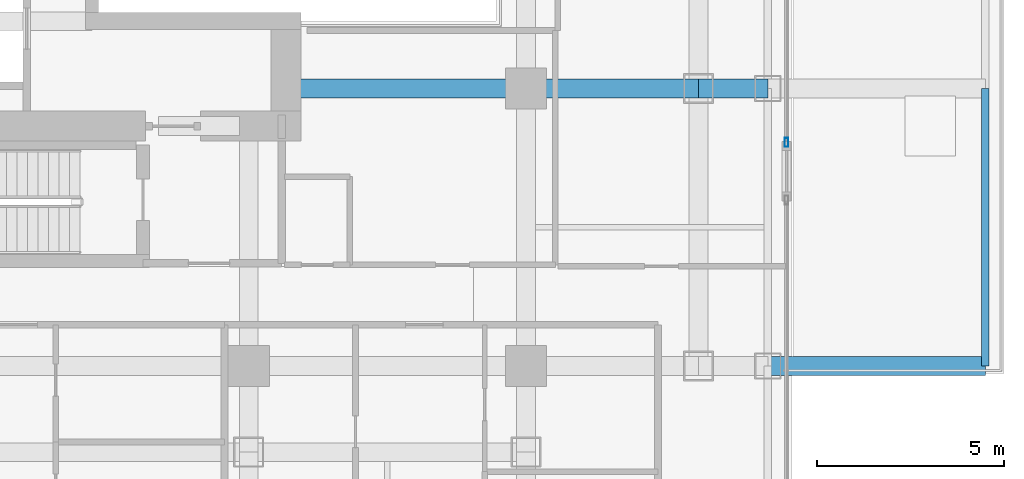
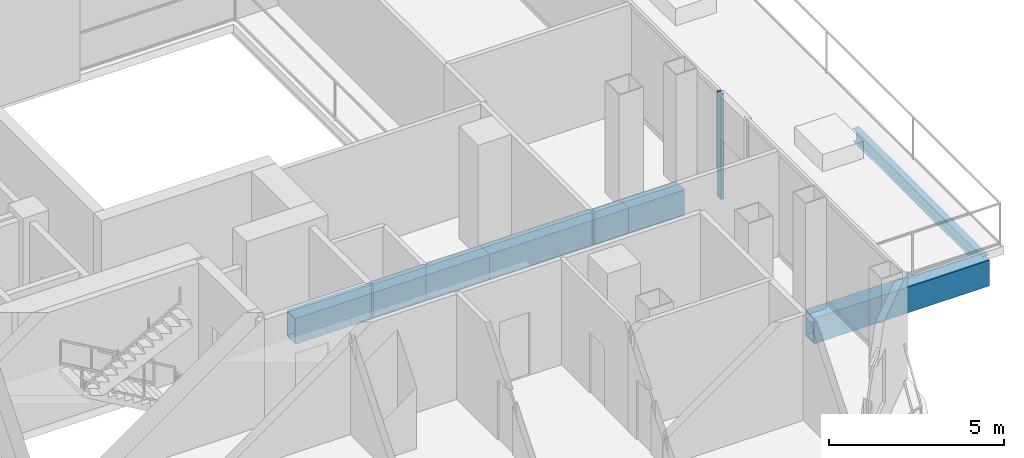
# One storey, part 8 of 27: 5 beams, 1 member, 1 element without a shape of its own.
"""IFC4 building model written with IfcOpenShell, lengths in metres."""

import ifcopenshell
import ifcopenshell.guid

model = None  # the IFC model being written
_history = None  # IfcOwnerHistory: only IFC2X3 demands one
_inside = {}  # id of a spatial element -> (the spatial element, [elements in it])
_under = {}  # id of a project, library or spatial element -> (it, [spatial elements below it])
_declared = {}  # id of a project -> (the project, [libraries it declares])
_typed = {}  # id of a type object -> (the type object, [elements of that type])
_made_of = {}  # id of a material, layer set ... -> (it, [elements and type objects made of it])


def new_model(schema):
    """Start an empty IFC model of exactly this schema.

    Asked for "IFC4X3", IfcOpenShell would pick the latest addendum, in which some entities
    have other attributes; the version numbers below select the first issue.
    IFC2X3 requires an IfcOwnerHistory on every rooted entity: one is made here for all.
    """
    global model, _history
    if schema == "IFC4X3":
        model = ifcopenshell.file(schema_version=(4, 3, 0, 0))
    else:
        model = ifcopenshell.file(schema=schema)
    _inside.clear()
    _under.clear()
    _declared.clear()
    _typed.clear()
    _made_of.clear()
    _history = None
    if model.schema == "IFC2X3":
        org = make("IfcOrganization", Name="unknown")
        user = make(
            "IfcPersonAndOrganization",
            ThePerson=make("IfcPerson", FamilyName="unknown"),
            TheOrganization=org,
        )
        app = make(
            "IfcApplication",
            ApplicationDeveloper=org,
            Version="unknown",
            ApplicationFullName="unknown",
            ApplicationIdentifier="unknown",
        )
        _history = make(
            "IfcOwnerHistory",
            OwningUser=user,
            OwningApplication=app,
            ChangeAction="ADDED",
            CreationDate=0,
        )
    return model


def make(cls, **values):
    """One entity of the class cls with the attributes given. An attribute that is None is left unset."""
    return model.create_entity(
        cls, **{name: value for name, value in values.items() if value is not None}
    )


def rooted(cls, **values):
    """An entity with a GlobalId (a new one), such as an element, a storey or a relation."""
    return make(cls, GlobalId=ifcopenshell.guid.new(), OwnerHistory=_history, **values)


def si_unit(unit_type, name, prefix=None):
    """IfcSIUnit, for example si_unit("LENGTHUNIT", "METRE", prefix="MILLI")."""
    return make("IfcSIUnit", UnitType=unit_type, Prefix=prefix, Name=name)


def assignment(units):
    """IfcUnitAssignment: the units of a project."""
    return None if units is None else make("IfcUnitAssignment", Units=units)


def point(xyz):
    """IfcCartesianPoint."""
    return None if xyz is None else make("IfcCartesianPoint", Coordinates=xyz)


def direction(xyz):
    """IfcDirection."""
    return None if xyz is None else make("IfcDirection", DirectionRatios=xyz)


def frame(location, z_axis=None, x_axis=None):
    """IfcAxis2Placement3D, a coordinate frame: its origin and axes. An axis left out is left unset."""
    return make(
        "IfcAxis2Placement3D",
        Location=point(location),
        Axis=direction(z_axis),
        RefDirection=direction(x_axis),
    )


def frame_2d(location, x_axis=None):
    """IfcAxis2Placement2D, a coordinate frame in the plane: its origin and x axis."""
    return make(
        "IfcAxis2Placement2D", Location=point(location), RefDirection=direction(x_axis)
    )


def origin():
    """The frame at (0, 0, 0) with its axes left unset."""
    return frame((0.0, 0.0, 0.0))


def origin_2d():
    """The frame at (0, 0) in the plane with its x axis left unset."""
    return frame_2d((0.0, 0.0))


def place(relative_to, where):
    """IfcLocalPlacement: puts the frame where relative to a parent placement (None: the world)."""
    return make(
        "IfcLocalPlacement", PlacementRelTo=relative_to, RelativePlacement=where
    )


def context(
    kind, dimensions, precision=None, world=None, true_north=None, identifier=None
):
    """IfcGeometricRepresentationContext, for example the 3D "Model" context."""
    return make(
        "IfcGeometricRepresentationContext",
        ContextIdentifier=identifier,
        ContextType=kind,
        CoordinateSpaceDimension=dimensions,
        Precision=precision,
        WorldCoordinateSystem=world,
        TrueNorth=true_north,
    )


def subcontext(parent, identifier, kind, view, scale=None):
    """IfcGeometricRepresentationSubContext, for example "Body" below "Model"."""
    return make(
        "IfcGeometricRepresentationSubContext",
        ContextIdentifier=identifier,
        ContextType=kind,
        ParentContext=parent,
        TargetScale=scale,
        TargetView=view,
    )


def project(units=None, contexts=None):
    """IfcProject with its units and contexts."""
    return rooted(
        "IfcProject",
        Name="project",
        RepresentationContexts=contexts,
        UnitsInContext=assignment(units),
    )


def spatial(cls, under=None, at=None, **own):
    """A site, building, storey or space (cls), placed at a placement, below another one or the project."""
    s = rooted(cls, ObjectPlacement=at, **own)
    if under is not None:
        _under.setdefault(under.id(), (under, []))[1].append(s)
    return s


def profile(cls, at=None, kind="AREA", **sizes):
    """A parametric profile (cls). Its sizes go by their IFC names, for example OverallWidth=200.0."""
    return make(cls, ProfileType=kind, Position=at, **sizes)


def hollow_rectangle(**sizes):
    """IfcRectangleHollowProfileDef."""
    return profile("IfcRectangleHollowProfileDef", **sizes)


def i_section(**sizes):
    """IfcIShapeProfileDef."""
    return profile("IfcIShapeProfileDef", **sizes)


def extrude(swept, where, along, depth):
    """IfcExtrudedAreaSolid: the profile swept, set in the frame where, extruded along a direction by depth."""
    return make(
        "IfcExtrudedAreaSolid",
        SweptArea=swept,
        Position=where,
        ExtrudedDirection=direction(along),
        Depth=depth,
    )


def shape(context_of_items, identifier, shape_type, items):
    """IfcShapeRepresentation: the items that make up one representation, for example the "Body"."""
    return make(
        "IfcShapeRepresentation",
        ContextOfItems=context_of_items,
        RepresentationIdentifier=identifier,
        RepresentationType=shape_type,
        Items=items,
    )


def material(Name=None, Category=None):
    """IfcMaterial."""
    return make("IfcMaterial", Name=Name, Category=Category)


def layer(
    of_material, thickness, ventilated=None, Name=None, Category=None, Priority=None
):
    """IfcMaterialLayer: one layer of a wall or slab, of a material (None: an air gap)."""
    return make(
        "IfcMaterialLayer",
        Material=of_material,
        LayerThickness=thickness,
        IsVentilated=ventilated,
        Name=Name,
        Category=Category,
        Priority=Priority,
    )


def layer_set(layers, Name=None):
    """IfcMaterialLayerSet."""
    return make("IfcMaterialLayerSet", MaterialLayers=layers, LayerSetName=Name)


def material_profile(
    of_material, cross_section, Name=None, Category=None, Priority=None
):
    """IfcMaterialProfile: a cross section and its material."""
    return make(
        "IfcMaterialProfile",
        Name=Name,
        Material=of_material,
        Profile=cross_section,
        Priority=Priority,
        Category=Category,
    )


def profile_set(profiles, Name=None, composite=None):
    """IfcMaterialProfileSet."""
    return make(
        "IfcMaterialProfileSet",
        Name=Name,
        MaterialProfiles=profiles,
        CompositeProfile=composite,
    )


def made_of(thing, what):
    """Note that an element or type object is made of a material, layer set ...; save() writes the relation."""
    if what is not None:
        _made_of.setdefault(what.id(), (what, []))[1].append(thing)
    return thing


def type_object(cls, material=None, **own):
    """A type object (cls), such as IfcWallType, which elements share."""
    return made_of(rooted(cls, **own), material)


def element(
    cls,
    number,
    at=None,
    inside=None,
    cuts=None,
    type_object=None,
    material=None,
    context=None,
    identifier="Body",
    shape_type=None,
    held_by="IfcProductDefinitionShape",
    body=None,
    shapes=None,
    **own,
):
    """One element of the class cls, such as IfcWall. Its Tag is "e" and its number.

    at: its placement. inside: the storey or other place that contains it. cuts: it is an
    opening in that element (IfcRelVoidsElement). A single representation is given by context,
    identifier, shape_type and body (its items); several are given by shapes. held_by: the class
    of the entity that holds the representations. save() writes the other relations.
    """
    e = rooted(cls, Tag="e%d" % number, ObjectPlacement=at, **own)
    if body is not None:
        shapes = [shape(context, identifier, shape_type, body)]
    if shapes is not None:
        e.Representation = make(held_by, Representations=shapes)
    if inside is not None:
        _inside.setdefault(inside.id(), (inside, []))[1].append(e)
    if cuts is not None:
        rooted(
            "IfcRelVoidsElement", RelatingBuildingElement=cuts, RelatedOpeningElement=e
        )
    if type_object is not None:
        _typed.setdefault(type_object.id(), (type_object, []))[1].append(e)
    return made_of(e, material)


def aggregate(whole, parts):
    """IfcRelAggregates: a whole, such as a stair, and the parts it consists of."""
    return rooted("IfcRelAggregates", RelatingObject=whole, RelatedObjects=parts)


def save(model, path):
    """Write the relations noted so far, then the file.

    IfcRelAggregates (storeys below a building ...), IfcRelContainedInSpatialStructure (elements
    in a storey), IfcRelDefinesByType, IfcRelAssociatesMaterial and IfcRelDeclares: one each for
    every whole, place, type object, material and project.
    """
    for whole, parts in _under.values():
        aggregate(whole, parts)
    for where, things in _inside.values():
        rooted(
            "IfcRelContainedInSpatialStructure",
            RelatedElements=things,
            RelatingStructure=where,
        )
    for kind, things in _typed.values():
        rooted("IfcRelDefinesByType", RelatedObjects=things, RelatingType=kind)
    for what, things in _made_of.values():
        rooted("IfcRelAssociatesMaterial", RelatedObjects=things, RelatingMaterial=what)
    for by, libraries in _declared.values():
        rooted("IfcRelDeclares", RelatingContext=by, RelatedDefinitions=libraries)
    model.write(path)


model = new_model("IFC4")

# Units and contexts
model_context = context("Model", 3, precision=1e-05, world=origin(), true_north=direction((0.0, 1.0)))
body_context = subcontext(model_context, "Body", "Model", "MODEL_VIEW")
ifc_project = project(units=[si_unit("LENGTHUNIT", "METRE"), si_unit("AREAUNIT", "SQUARE_METRE"), si_unit("VOLUMEUNIT", "CUBIC_METRE"), si_unit("PLANEANGLEUNIT", "RADIAN"), si_unit("MASSUNIT", "GRAM", prefix="KILO")], contexts=[model_context])

# Site, building, storey
site_placement = place(None, origin())
site = spatial("IfcSite", under=ifc_project, at=site_placement, CompositionType="ELEMENT")
building_placement = place(site_placement, origin())
building = spatial("IfcBuilding", under=site, at=building_placement, Name="Khorvyn Point Tower", CompositionType="ELEMENT")
storey_placement = place(building_placement, frame((0.0, 0.0, 168.0)))
storey = spatial("IfcBuildingStorey", under=building, at=storey_placement, Name="L41", CompositionType="ELEMENT", Elevation=168.0)

# Curtain wall, member
ifc_material_1 = material(Name="Anodised aluminium 6063-T6 and laminated Low-E glass", Category="aluminium")
ifc_layer = layer(ifc_material_1, 0.18994140625)
ifc_layer_set = layer_set([ifc_layer], Name="Stick-Built Acoustic Curtain Wall CW-SYS-03")
curtain_wall_type = type_object("IfcCurtainWallType", Name="Stick-Built Acoustic Curtain Wall CW-SYS-03", PredefinedType="NOTDEFINED", material=ifc_layer_set)
curtain_wall_placement = place(storey_placement, origin())
curtain_wall = element("IfcCurtainWall", 1, at=curtain_wall_placement, inside=storey, type_object=curtain_wall_type, Name="Curtain Wall", PredefinedType="NOTDEFINED")
ifc_material_2 = material(Name="Anodised aluminium 6063-T6", Category="aluminium")
ifc_material_profile_1 = material_profile(ifc_material_2, hollow_rectangle(XDim=0.10009765625, YDim=0.239990234375, WallThickness=0.0048828125, at=origin_2d()))
ifc_profile_set_1 = profile_set([ifc_material_profile_1], Name="Anodised aluminium 6063-T6 ALU-MUL-100x240")
member_type = type_object("IfcMemberType", Name="Anodised Aluminium 6063-T6 Mullion ALU-MUL-100x240", PredefinedType="MULLION", material=ifc_profile_set_1)
member_placement = place(storey_placement, frame((21.75, -8.8349609375, 0.0), z_axis=(0.0, 0.0, 1.0), x_axis=(1.0, 0.0, 0.0)))
member = element("IfcMember", 2, at=member_placement, type_object=member_type, Name="Transom", PredefinedType="MULLION", context=body_context, shape_type="SweptSolid", body=[
    extrude(hollow_rectangle(XDim=0.10009765625, YDim=0.239990234375, WallThickness=0.0048828125, at=origin_2d()), origin(), (0.0, 0.0, 1.0), 3.679931640625),
])
aggregate(curtain_wall, [member])

# Beams
ifc_material_3 = material(Name="Steel S355", Category="steel")
ifc_material_profile_2 = material_profile(ifc_material_3, i_section(OverallWidth=0.199951171875, OverallDepth=0.449951171875, WebThickness=0.009033203125, FlangeThickness=0.013916015625, at=origin_2d()))
ifc_profile_set_2 = profile_set([ifc_material_profile_2], Name="Steel S355 H450x200x9x14")
beam_type_1 = type_object("IfcBeamType", Name="Steel S355 Spandrel H450x200x9x14", PredefinedType="SPANDREL", material=ifc_profile_set_2)
beam_1_placement = place(storey_placement, frame((27.050048828125, -14.800048828125, -0.5048828125), z_axis=(0.0, 1.0, 0.0), x_axis=(-1.0, 0.0, 0.0)))
element("IfcBeam", 3, at=beam_1_placement, inside=storey, type_object=beam_type_1, Name="Beam", PredefinedType="SPANDREL", context=body_context, shape_type="SweptSolid", body=[
    extrude(i_section(OverallWidth=0.199951171875, OverallDepth=0.449951171875, WebThickness=0.009033203125, FlangeThickness=0.013916015625, at=origin_2d()), origin(), (0.0, 0.0, 1.0), 7.400146484375),
])
ifc_material_4 = material(Name="Steel S450", Category="steel")
ifc_material_profile_3 = material_profile(ifc_material_4, hollow_rectangle(XDim=0.5, YDim=0.89990234375, WallThickness=0.0400390625, at=origin_2d()))
ifc_profile_set_3 = profile_set([ifc_material_profile_3], Name="Steel S450 BOX900x500x40")
beam_type_2 = type_object("IfcBeamType", Name="Steel S450 Beam BOX900x500x40", PredefinedType="BEAM", material=ifc_profile_set_3)
beam_2_placement = place(storey_placement, frame((21.25, -14.800048828125, -0.72998046875), z_axis=(1.0, 0.0, 0.0), x_axis=(0.0, 1.0, 0.0)))
element("IfcBeam", 4, at=beam_2_placement, inside=storey, type_object=beam_type_2, Name="L41 Radial Transfer Girder", PredefinedType="BEAM", context=body_context, shape_type="SweptSolid", body=[
    extrude(hollow_rectangle(XDim=0.5, YDim=0.89990234375, WallThickness=0.0400390625, at=origin_2d()), origin(), (0.0, 0.0, 1.0), 5.800048828125),
])
beam_3_placement = place(storey_placement, frame((8.39990234375, -7.39990234375, -0.72998046875), z_axis=(1.0, 0.0, 0.0), x_axis=(0.0, 1.0, 0.0)))
element("IfcBeam", 5, at=beam_3_placement, inside=storey, type_object=beam_type_2, Name="Beam", PredefinedType="BEAM", context=body_context, shape_type="SweptSolid", body=[
    extrude(hollow_rectangle(XDim=0.5, YDim=0.89990234375, WallThickness=0.0400390625, at=origin_2d()), origin(), (0.0, 0.0, 1.0), 6.400146484375),
])
beam_4_placement = place(storey_placement, frame((14.800048828125, -7.39990234375, -0.72998046875), z_axis=(1.0, 0.0, 0.0), x_axis=(0.0, 1.0, 0.0)))
element("IfcBeam", 6, at=beam_4_placement, inside=storey, type_object=beam_type_2, Name="Beam", PredefinedType="BEAM", context=body_context, shape_type="SweptSolid", body=[
    extrude(hollow_rectangle(XDim=0.5, YDim=0.89990234375, WallThickness=0.0400390625, at=origin_2d()), origin(), (0.0, 0.0, 1.0), 4.599853515625),
])
beam_5_placement = place(storey_placement, frame((19.39990234375, -7.39990234375, -0.72998046875), z_axis=(1.0, 0.0, 0.0), x_axis=(0.0, 1.0, 0.0)))
element("IfcBeam", 7, at=beam_5_placement, inside=storey, type_object=beam_type_2, Name="Beam", PredefinedType="BEAM", context=body_context, shape_type="SweptSolid", body=[
    extrude(hollow_rectangle(XDim=0.5, YDim=0.89990234375, WallThickness=0.0400390625, at=origin_2d()), origin(), (0.0, 0.0, 1.0), 1.85009765625),
])

save(model, "model.ifc")
